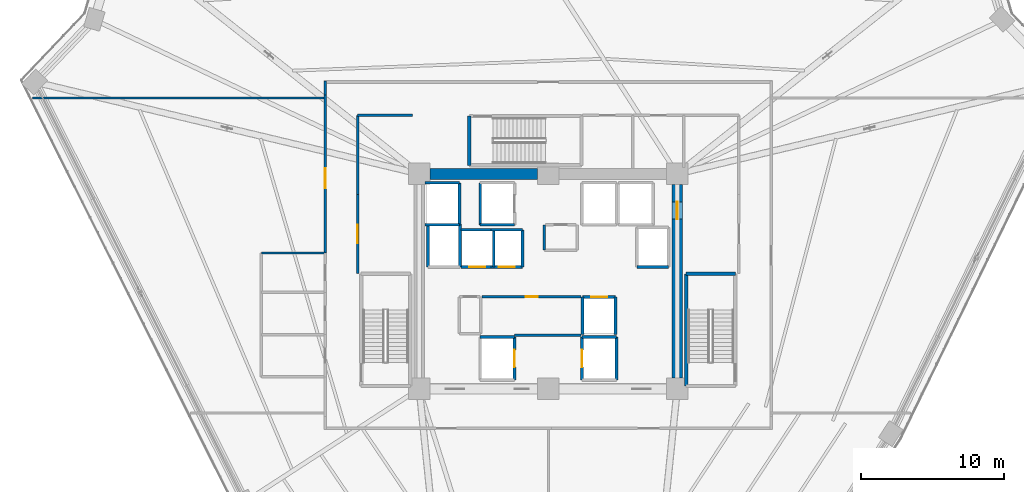
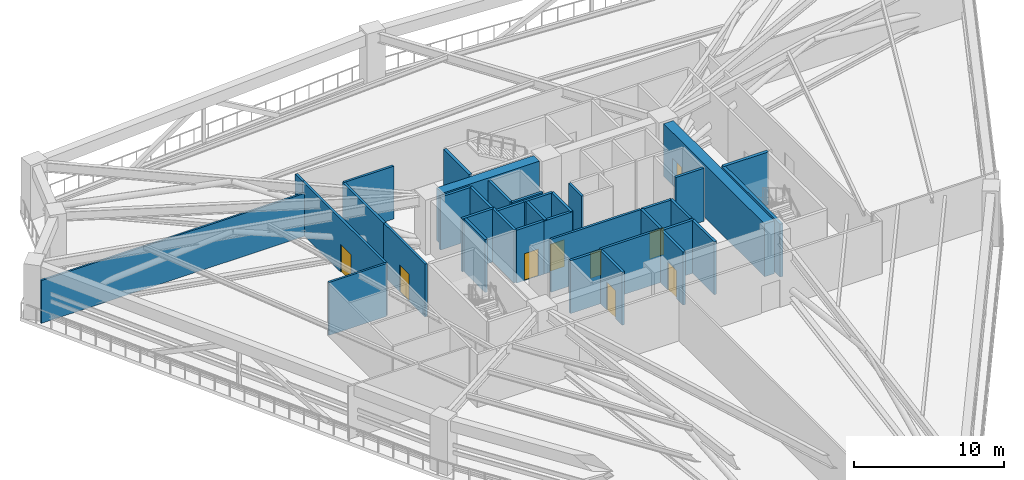
# One storey, part 16 of 23: 37 walls, 9 doors, 9 openings.
"""IFC4 building model written with IfcOpenShell, lengths in metres."""

from ifc_helpers import new_model, si_unit, direction, frame, frame_2d, origin, place, context, subcontext, project, spatial, rectangle, extrude, source, transform, mapped, material, layer, layer_set, type_object, element, fill, save


model = new_model("IFC4")

# Units and contexts
model_context = context("Model", 3, precision=1e-05, world=origin(), true_north=direction((0.0, 1.0)))
body_context = subcontext(model_context, "Body", "Model", "MODEL_VIEW")
ifc_project = project(units=[si_unit("LENGTHUNIT", "METRE"), si_unit("AREAUNIT", "SQUARE_METRE"), si_unit("VOLUMEUNIT", "CUBIC_METRE"), si_unit("PLANEANGLEUNIT", "RADIAN"), si_unit("MASSUNIT", "GRAM", prefix="KILO")], contexts=[model_context])

# Site, building, storey
site_placement = place(None, origin())
site = spatial("IfcSite", under=ifc_project, at=site_placement, CompositionType="ELEMENT")
building_placement = place(site_placement, origin())
building = spatial("IfcBuilding", under=site, at=building_placement, Name="Liaohun Quay Tower", CompositionType="ELEMENT")
storey_placement = place(building_placement, frame((0.0, 0.0, 139.5)))
storey = spatial("IfcBuildingStorey", under=building, at=storey_placement, Name="L36", CompositionType="ELEMENT", Elevation=139.5)

# Wall
ifc_material_1 = material(Name="Concrete C60", Category="concrete")
ifc_layer_1 = layer(ifc_material_1, 0.75, Name="Concrete C60", Category="concrete")
ifc_layer_set_1 = layer_set([ifc_layer_1], Name="Concrete C60")
wall_type_1 = type_object("IfcWallType", Name="WAL-COR-Z2", PredefinedType="SHEAR", material=ifc_layer_set_1)
wall_1_placement = place(storey_placement, frame((51.75, 61.5, 0.0), z_axis=(0.0, 0.0, 1.0), x_axis=(1.0, 0.0, 0.0)))
element("IfcWall", 1, at=wall_1_placement, inside=storey, type_object=wall_type_1, Name="L36 Central Core Shear Wall N-W", PredefinedType="SHEAR", context=body_context, shape_type="SweptSolid", body=[
    extrude(rectangle(XDim=7.5, YDim=0.75, at=frame_2d((3.75, 0.0))), origin(), (0.0, 0.0, 1.0), 4.320068359375),
])

# Wall, opening, door
wall_2_placement = place(storey_placement, frame((69.0, 60.75, 0.0), z_axis=(0.0, 0.0, 1.0), x_axis=(0.0, -1.0, 0.0)))
wall_2 = element("IfcWall", 2, at=wall_2_placement, inside=storey, type_object=wall_type_1, Name="L36 Central Core Shear Wall E", PredefinedType="SHEAR", context=body_context, shape_type="SweptSolid", body=[
    extrude(rectangle(XDim=13.5, YDim=0.75, at=frame_2d((6.75, 0.0))), origin(), (0.0, 0.0, 1.0), 4.320068359375),
])
shared_shape_1 = source(origin(), body_context, "Body", "SweptSolid", [
    extrude(rectangle(XDim=1.199951171875, YDim=2.199951171875, at=frame_2d((0.60009765625, 1.10009765625))), frame((0.0, 0.385009765625, 0.0), z_axis=(0.0, -1.0, 0.0), x_axis=(1.0, 0.0, 0.0)), (0.0, 0.0, 1.0), 0.77001953125),
])
opening_1_placement = place(wall_2_placement, frame((1.199951171875, 0.0, 0.0)))
opening_1 = element("IfcOpeningElement", 3, at=opening_1_placement, cuts=wall_2, Name="Opening SD1", PredefinedType="OPENING", context=body_context, shape_type="MappedRepresentation", body=[
    mapped(shared_shape_1, transform((0.0, 0.0, 0.0), x_axis=(1.0, 0.0, 0.0), y_axis=(0.0, 1.0, 0.0), z_axis=(0.0, 0.0, 1.0), scale=1.0)),
])
ifc_material_2 = material(Name="Galvanised steel fire door", Category="steel")
door_type_1 = type_object("IfcDoorType", Name="DOR-STR-1200", OperationType="NOTDEFINED", PredefinedType="DOOR", material=ifc_material_2)
shared_shape_2 = source(origin(), body_context, "Body", "SweptSolid", [
    extrude(rectangle(XDim=1.199951171875, YDim=2.199951171875, at=frame_2d((0.60009765625, 1.10009765625))), frame((0.0, 0.02490234375, 0.0), z_axis=(0.0, -1.0, 0.0), x_axis=(1.0, 0.0, 0.0)), (0.0, 0.0, 1.0), 0.050048828125),
])
door_1_placement = place(opening_1_placement, origin())
door_1 = element("IfcDoor", 4, at=door_1_placement, inside=storey, type_object=door_type_1, Name="L36 North-East Core Lobby Smokeproof Door", OperationType="SINGLE_SWING_LEFT", OverallHeight=2.199951171875, OverallWidth=1.199951171875, PredefinedType="DOOR", context=body_context, shape_type="MappedRepresentation", body=[
    mapped(shared_shape_2, transform((0.0, 0.0, 0.0), x_axis=(1.0, 0.0, 0.0), y_axis=(0.0, 1.0, 0.0), z_axis=(0.0, 0.0, 1.0), scale=1.0)),
])
fill(opening_1, door_1)

ifc_material_3 = material(Name="Autoclaved aerated concrete blockwork", Category="masonry")
ifc_layer_2 = layer(ifc_material_3, 0.179931640625, Name="Autoclaved aerated concrete blockwork", Category="masonry")
ifc_layer_set_2 = layer_set([ifc_layer_2], Name="Autoclaved aerated concrete blockwork")
wall_type_2 = type_object("IfcWallType", Name="WAL-PRT-COR", PredefinedType="PARTITIONING", material=ifc_layer_set_2)
wall_3_placement = place(storey_placement, frame((55.3701171875, 52.919921875, 0.0), z_axis=(0.0, 0.0, 1.0), x_axis=(1.0, 0.0, 0.0)))
wall_3 = element("IfcWall", 5, at=wall_3_placement, inside=storey, type_object=wall_type_2, Name="L36 Interior Partition Wall 001", PredefinedType="PARTITIONING", context=body_context, shape_type="SweptSolid", body=[
    extrude(rectangle(XDim=6.929931640625, YDim=0.179931640625, at=frame_2d((3.46484375, 0.0))), origin(), (0.0, 0.0, 1.0), 4.320068359375),
])
shared_shape_3 = source(origin(), body_context, "Body", "SweptSolid", [
    extrude(rectangle(XDim=0.85009765625, YDim=2.10009765625, at=frame_2d((0.425048828125, 1.050048828125))), frame((0.0, 0.099853515625, 0.0), z_axis=(0.0, -1.0, 0.0), x_axis=(1.0, 0.0, 0.0)), (0.0, 0.0, 1.0), 0.199951171875),
])
opening_2_placement = place(wall_3_placement, frame((3.054931640625, 0.0, 0.0)))
opening_2 = element("IfcOpeningElement", 6, at=opening_2_placement, cuts=wall_3, Name="Opening AD1", PredefinedType="OPENING", context=body_context, shape_type="MappedRepresentation", body=[
    mapped(shared_shape_3, transform((0.0, 0.0, 0.0), x_axis=(1.0, 0.0, 0.0), y_axis=(0.0, 1.0, 0.0), z_axis=(0.0, 0.0, 1.0), scale=1.0)),
])
ifc_material_4 = material(Name="Steel riser inspection fire door", Category="steel")
door_type_2 = type_object("IfcDoorType", Name="DOR-SHF-850", OperationType="NOTDEFINED", PredefinedType="DOOR", material=ifc_material_4)
shared_shape_4 = source(origin(), body_context, "Body", "SweptSolid", [
    extrude(rectangle(XDim=0.85009765625, YDim=2.10009765625, at=frame_2d((0.425048828125, 1.050048828125))), frame((0.0, 0.02490234375, 0.0), z_axis=(0.0, -1.0, 0.0), x_axis=(1.0, 0.0, 0.0)), (0.0, 0.0, 1.0), 0.050048828125),
])
door_2_placement = place(opening_2_placement, origin())
door_2 = element("IfcDoor", 7, at=door_2_placement, inside=storey, type_object=door_type_2, Name="L36 Core Tenant Storage and Archive Room Door", OperationType="SINGLE_SWING_LEFT", OverallHeight=2.10009765625, OverallWidth=0.85009765625, PredefinedType="DOOR", context=body_context, shape_type="MappedRepresentation", body=[
    mapped(shared_shape_4, transform((0.0, 0.0, 0.0), x_axis=(1.0, 0.0, 0.0), y_axis=(0.0, 1.0, 0.0), z_axis=(0.0, 0.0, 1.0), scale=1.0)),
])
fill(opening_2, door_2)

wall_4_placement = place(storey_placement, frame((46.699951171875, 54.5400390625, 0.0), z_axis=(0.0, 0.0, 1.0), x_axis=(0.0, 1.0, 0.0)))
wall_4 = element("IfcWall", 8, at=wall_4_placement, inside=storey, type_object=wall_type_2, Name="L36 Interior Partition Wall 009", PredefinedType="PARTITIONING", context=body_context, shape_type="SweptSolid", body=[
    extrude(rectangle(XDim=5.52001953125, YDim=0.179931640625, at=frame_2d((2.760009765625, 0.0))), origin(), (0.0, 0.0, 1.0), 4.320068359375),
])
shared_shape_5 = source(origin(), body_context, "Body", "SweptSolid", [
    extrude(rectangle(XDim=1.300048828125, YDim=2.199951171875, at=frame_2d((0.64990234375, 1.10009765625))), frame((0.0, 0.099853515625, 0.0), z_axis=(0.0, -1.0, 0.0), x_axis=(1.0, 0.0, 0.0)), (0.0, 0.0, 1.0), 0.199951171875),
])
opening_3_placement = place(wall_4_placement, frame((2.110107421875, 0.0, 0.0)))
opening_3 = element("IfcOpeningElement", 9, at=opening_3_placement, cuts=wall_4, Name="Opening FD1", PredefinedType="OPENING", context=body_context, shape_type="MappedRepresentation", body=[
    mapped(shared_shape_5, transform((0.0, 0.0, 0.0), x_axis=(1.0, 0.0, 0.0), y_axis=(0.0, 1.0, 0.0), z_axis=(0.0, 0.0, 1.0), scale=1.0)),
])
ifc_material_5 = material(Name="Galvanised steel smokeproof fire door", Category="steel")
door_type_3 = type_object("IfcDoorType", Name="DOR-FFL-1300", OperationType="NOTDEFINED", PredefinedType="DOOR", material=ifc_material_5)
shared_shape_6 = source(origin(), body_context, "Body", "SweptSolid", [
    extrude(rectangle(XDim=1.300048828125, YDim=2.199951171875, at=frame_2d((0.64990234375, 1.10009765625))), frame((0.0, 0.02490234375, 0.0), z_axis=(0.0, -1.0, 0.0), x_axis=(1.0, 0.0, 0.0)), (0.0, 0.0, 1.0), 0.050048828125),
])
door_3_placement = place(opening_3_placement, origin())
door_3 = element("IfcDoor", 10, at=door_3_placement, inside=storey, type_object=door_type_3, Name="L36 West Core Vestibule Door", OperationType="SINGLE_SWING_LEFT", OverallHeight=2.199951171875, OverallWidth=1.300048828125, PredefinedType="DOOR", context=body_context, shape_type="MappedRepresentation", body=[
    mapped(shared_shape_6, transform((0.0, 0.0, 0.0), x_axis=(1.0, 0.0, 0.0), y_axis=(0.0, 1.0, 0.0), z_axis=(0.0, 0.0, 1.0), scale=1.0)),
])
fill(opening_3, door_3)

wall_5_placement = place(storey_placement, frame((44.43994140625, 55.97998046875, 0.0), z_axis=(0.0, 0.0, 1.0), x_axis=(0.0, 1.0, 0.0)))
wall_5 = element("IfcWall", 11, at=wall_5_placement, inside=storey, type_object=wall_type_2, Name="L36 Interior Partition Wall 013", PredefinedType="PARTITIONING", context=body_context, shape_type="SweptSolid", body=[
    extrude(rectangle(XDim=11.034912109375, YDim=0.179931640625, at=frame_2d((5.517578125, 0.0))), origin(), (0.0, 0.0, 1.0), 4.320068359375),
])
shared_shape_7 = source(origin(), body_context, "Body", "SweptSolid", [
    extrude(rectangle(XDim=1.39990234375, YDim=2.25, at=frame_2d((0.699951171875, 1.125))), frame((0.0, 0.099853515625, 0.0), z_axis=(0.0, -1.0, 0.0), x_axis=(1.0, 0.0, 0.0)), (0.0, 0.0, 1.0), 0.199951171875),
])
opening_4_placement = place(wall_5_placement, frame((4.51806640625, 0.0, 0.0)))
opening_4 = element("IfcOpeningElement", 12, at=opening_4_placement, cuts=wall_5, Name="Opening MD1", PredefinedType="OPENING", context=body_context, shape_type="MappedRepresentation", body=[
    mapped(shared_shape_7, transform((0.0, 0.0, 0.0), x_axis=(1.0, 0.0, 0.0), y_axis=(0.0, 1.0, 0.0), z_axis=(0.0, 0.0, 1.0), scale=1.0)),
])
ifc_material_6 = material(Name="Insulated steel plant room door", Category="steel")
door_type_4 = type_object("IfcDoorType", Name="DOR-MEP-1400", OperationType="DOUBLE_DOOR_SINGLE_SWING", PredefinedType="DOOR", material=ifc_material_6)
shared_shape_8 = source(origin(), body_context, "Body", "SweptSolid", [
    extrude(rectangle(XDim=1.39990234375, YDim=2.25, at=frame_2d((0.699951171875, 1.125))), frame((0.0, 0.02490234375, 0.0), z_axis=(0.0, -1.0, 0.0), x_axis=(1.0, 0.0, 0.0)), (0.0, 0.0, 1.0), 0.050048828125),
])
door_4_placement = place(opening_4_placement, origin())
door_4 = element("IfcDoor", 13, at=door_4_placement, inside=storey, type_object=door_type_4, Name="L36 West Air Handling Unit Plant Room Door", OperationType="DOUBLE_DOOR_SINGLE_SWING", OverallHeight=2.25, OverallWidth=1.39990234375, PredefinedType="DOOR", context=body_context, shape_type="MappedRepresentation", body=[
    mapped(shared_shape_8, transform((0.0, 0.0, 0.0), x_axis=(1.0, 0.0, 0.0), y_axis=(0.0, 1.0, 0.0), z_axis=(0.0, 0.0, 1.0), scale=1.0)),
])
fill(opening_4, door_4)

# Walls
wall_6_placement = place(storey_placement, frame((59.719970703125, 56.179931640625, 0.0), z_axis=(0.0, 0.0, 1.0), x_axis=(0.0, 1.0, 0.0)))
element("IfcWall", 14, at=wall_6_placement, inside=storey, type_object=wall_type_2, Name="L36 Interior Partition Wall 016", PredefinedType="PARTITIONING", context=body_context, shape_type="SweptSolid", body=[
    extrude(rectangle(XDim=1.739990234375, YDim=0.179931640625, at=frame_2d((0.8701171875, 0.0))), origin(), (0.0, 0.0, 1.0), 4.320068359375),
])
wall_7_placement = place(storey_placement, frame((46.699951171875, 65.580078125, 0.0), z_axis=(0.0, 0.0, 1.0), x_axis=(1.0, 0.0, 0.0)))
element("IfcWall", 15, at=wall_7_placement, inside=storey, type_object=wall_type_2, Name="L36 Interior Partition Wall 029", PredefinedType="PARTITIONING", context=body_context, shape_type="SweptSolid", body=[
    extrude(rectangle(XDim=3.840087890625, YDim=0.179931640625, at=frame_2d((1.919921875, 0.0))), origin(), (0.0, 0.0, 1.0), 4.320068359375),
])
wall_8_placement = place(storey_placement, frame((46.699951171875, 60.06005859375, 0.0), z_axis=(0.0, 0.0, 1.0), x_axis=(0.0, 1.0, 0.0)))
element("IfcWall", 16, at=wall_8_placement, inside=storey, type_object=wall_type_2, Name="L36 Interior Partition Wall 031", PredefinedType="PARTITIONING", context=body_context, shape_type="SweptSolid", body=[
    extrude(rectangle(XDim=5.52001953125, YDim=0.179931640625, at=frame_2d((2.760009765625, 0.0))), origin(), (0.0, 0.0, 1.0), 4.320068359375),
])
wall_9_placement = place(storey_placement, frame((44.43994140625, 67.014892578125, 0.0), z_axis=(0.0, 0.0, 1.0), x_axis=(0.0, 1.0, 0.0)))
element("IfcWall", 17, at=wall_9_placement, inside=storey, type_object=wall_type_2, Name="L36 Interior Partition Wall 033", PredefinedType="PARTITIONING", context=body_context, shape_type="SweptSolid", body=[
    extrude(rectangle(XDim=0.965087890625, YDim=0.179931640625, at=frame_2d((0.482421875, 0.0))), origin(), (0.0, 0.0, 1.0), 4.320068359375),
])
wall_10_placement = place(storey_placement, frame((57.64990234375, 50.25, 0.0), z_axis=(0.0, 0.0, 1.0), x_axis=(1.0, 0.0, 0.0)))
element("IfcWall", 18, at=wall_10_placement, inside=storey, type_object=wall_type_2, Name="L36 Interior Partition Wall 043", PredefinedType="PARTITIONING", context=body_context, shape_type="SweptSolid", body=[
    extrude(rectangle(XDim=4.650146484375, YDim=0.179931640625, at=frame_2d((2.3251953125, 0.0))), origin(), (0.0, 0.0, 1.0), 4.320068359375),
])
ifc_material_7 = material(Name="Gypsum board on twin steel studs", Category="steel")
ifc_layer_3 = layer(ifc_material_7, 0.139892578125, Name="Gypsum board on twin steel studs", Category="steel")
ifc_layer_set_3 = layer_set([ifc_layer_3], Name="Gypsum board on twin steel studs")
wall_type_3 = type_object("IfcWallType", Name="WAL-PRT-OFF", PredefinedType="PARTITIONING", material=ifc_layer_set_3)
wall_11_placement = place(storey_placement, frame((44.5400390625, 66.800048828125, 0.0), z_axis=(0.0, 0.0, 1.0), x_axis=(-1.0, 0.0, 0.0)))
element("IfcWall", 19, at=wall_11_placement, inside=storey, type_object=wall_type_3, Name="L36 Interior Partition Wall 040", PredefinedType="PARTITIONING", context=body_context, shape_type="SweptSolid", body=[
    extrude(rectangle(XDim=20.51806640625, YDim=0.139892578125, at=frame_2d((10.259033203125, 0.0))), origin(), (0.0, 0.0, 1.0), 3.5048828125),
])
ifc_material_8 = material(Name="Moisture-resistant masonry blockwork", Category="masonry")
ifc_layer_4 = layer(ifc_material_8, 0.159912109375, Name="Moisture-resistant masonry blockwork", Category="masonry")
ifc_layer_set_4 = layer_set([ifc_layer_4], Name="Moisture-resistant masonry blockwork")
wall_type_4 = type_object("IfcWallType", Name="WAL-PRT-WET", PredefinedType="PARTITIONING", material=ifc_layer_set_4)
wall_12_placement = place(storey_placement, frame((39.97998046875, 55.97998046875, 0.0), z_axis=(0.0, 0.0, 1.0), x_axis=(1.0, 0.0, 0.0)))
element("IfcWall", 20, at=wall_12_placement, inside=storey, type_object=wall_type_4, Name="L36 Interior Partition Wall 026", PredefinedType="PARTITIONING", context=body_context, shape_type="SweptSolid", body=[
    extrude(rectangle(XDim=4.4599609375, YDim=0.159912109375, at=frame_2d((2.22998046875, 0.0))), origin(), (0.0, 0.0, 1.0), 4.320068359375),
])
ifc_material_9 = material(Name="Concrete C50", Category="concrete")
ifc_layer_5 = layer(ifc_material_9, 0.239990234375, Name="Concrete C50", Category="concrete")
ifc_layer_set_5 = layer_set([ifc_layer_5], Name="Concrete C50")
wall_type_5 = type_object("IfcWallType", Name="WAL-SHF-200", PredefinedType="SOLIDWALL", material=ifc_layer_set_5)
wall_13_placement = place(storey_placement, frame((73.06005859375, 54.52001953125, 0.0), z_axis=(0.0, 0.0, 1.0), x_axis=(-1.0, 0.0, 0.0)))
element("IfcWall", 21, at=wall_13_placement, inside=storey, type_object=wall_type_5, Name="L36 Stairwell ST-2 Structural Core Wall N", PredefinedType="SOLIDWALL", context=body_context, shape_type="SweptSolid", body=[
    extrude(rectangle(XDim=3.43994140625, YDim=0.239990234375, at=frame_2d((1.719970703125, 0.0))), origin(), (0.0, 0.0, 1.0), 4.320068359375),
])
wall_14_placement = place(storey_placement, frame((69.6201171875, 54.52001953125, 0.0), z_axis=(0.0, 0.0, 1.0), x_axis=(0.0, -1.0, 0.0)))
element("IfcWall", 22, at=wall_14_placement, inside=storey, type_object=wall_type_5, Name="L36 Stairwell ST-2 Structural Core Wall W", PredefinedType="SOLIDWALL", context=body_context, shape_type="SweptSolid", body=[
    extrude(rectangle(XDim=7.820068359375, YDim=0.239990234375, at=frame_2d((3.91015625, 0.0))), origin(), (0.0, 0.0, 1.0), 4.320068359375),
])
wall_15_placement = place(storey_placement, frame((54.5, 65.5400390625, 0.0), z_axis=(0.0, 0.0, 1.0), x_axis=(0.0, -1.0, 0.0)))
element("IfcWall", 23, at=wall_15_placement, inside=storey, type_object=wall_type_5, Name="L36 Stairwell ST-3 Structural Core Wall W", PredefinedType="SOLIDWALL", context=body_context, shape_type="SweptSolid", body=[
    extrude(rectangle(XDim=3.43994140625, YDim=0.239990234375, at=frame_2d((1.719970703125, 0.0))), origin(), (0.0, 0.0, 1.0), 4.320068359375),
])

# Wall, opening, door
wall_16_placement = place(storey_placement, frame((57.64990234375, 47.1201171875, 0.0), z_axis=(0.0, 0.0, 1.0), x_axis=(0.0, 1.0, 0.0)))
wall_16 = element("IfcWall", 24, at=wall_16_placement, inside=storey, type_object=wall_type_5, Name="L36 Lift FF-01 Hoistway Wall E", PredefinedType="SOLIDWALL", context=body_context, shape_type="SweptSolid", body=[
    extrude(rectangle(XDim=3.0, YDim=0.199951171875, at=frame_2d((1.5, 0.0))), origin(), (0.0, 0.0, 1.0), 4.320068359375),
])
shared_shape_9 = source(origin(), body_context, "Body", "SweptSolid", [
    extrude(rectangle(XDim=1.199951171875, YDim=2.300048828125, at=frame_2d((0.60009765625, 1.14990234375))), frame((0.0, 0.10986328125, 0.0), z_axis=(0.0, -1.0, 0.0), x_axis=(1.0, 0.0, 0.0)), (0.0, 0.0, 1.0), 0.219970703125),
])
opening_5_placement = place(wall_16_placement, frame((0.89990234375, 0.0, 0.0)))
opening_5 = element("IfcOpeningElement", 25, at=opening_5_placement, cuts=wall_16, Name="Opening LD2", PredefinedType="OPENING", context=body_context, shape_type="MappedRepresentation", body=[
    mapped(shared_shape_9, transform((0.0, 0.0, 0.0), x_axis=(1.0, 0.0, 0.0), y_axis=(0.0, 1.0, 0.0), z_axis=(0.0, 0.0, 1.0), scale=1.0)),
])
ifc_material_10 = material(Name="Brushed stainless steel stretcher landing door", Category="steel")
door_type_5 = type_object("IfcDoorType", Name="DOR-LFT-1200", OperationType="SLIDING_TO_LEFT", PredefinedType="DOOR", material=ifc_material_10)
shared_shape_10 = source(origin(), body_context, "Body", "SweptSolid", [
    extrude(rectangle(XDim=1.199951171875, YDim=2.300048828125, at=frame_2d((0.60009765625, 1.14990234375))), frame((0.0, 0.02490234375, 0.0), z_axis=(0.0, -1.0, 0.0), x_axis=(1.0, 0.0, 0.0)), (0.0, 0.0, 1.0), 0.050048828125),
])
door_5_placement = place(opening_5_placement, origin())
door_5 = element("IfcDoor", 26, at=door_5_placement, inside=storey, type_object=door_type_5, Name="L36 Lift FF-01 Sliding Landing Door", OperationType="SLIDING_TO_LEFT", OverallHeight=2.300048828125, OverallWidth=1.199951171875, PredefinedType="DOOR", context=body_context, shape_type="MappedRepresentation", body=[
    mapped(shared_shape_10, transform((0.0, 0.0, 0.0), x_axis=(1.0, 0.0, 0.0), y_axis=(0.0, 1.0, 0.0), z_axis=(0.0, 0.0, 1.0), scale=1.0)),
])
fill(opening_5, door_5)

# Walls
wall_17_placement = place(storey_placement, frame((57.64990234375, 50.1201171875, 0.0), z_axis=(0.0, 0.0, 1.0), x_axis=(-1.0, 0.0, 0.0)))
element("IfcWall", 27, at=wall_17_placement, inside=storey, type_object=wall_type_5, Name="L36 Lift FF-01 Hoistway Wall N", PredefinedType="SOLIDWALL", context=body_context, shape_type="SweptSolid", body=[
    extrude(rectangle(XDim=2.39990234375, YDim=0.199951171875, at=frame_2d((1.199951171875, 0.0))), origin(), (0.0, 0.0, 1.0), 4.320068359375),
])
wall_18_placement = place(storey_placement, frame((64.75, 47.1201171875, 0.0), z_axis=(0.0, 0.0, 1.0), x_axis=(0.0, 1.0, 0.0)))
element("IfcWall", 28, at=wall_18_placement, inside=storey, type_object=wall_type_5, Name="L36 Lift FF-02 Hoistway Wall E", PredefinedType="SOLIDWALL", context=body_context, shape_type="SweptSolid", body=[
    extrude(rectangle(XDim=3.0, YDim=0.199951171875, at=frame_2d((1.5, 0.0))), origin(), (0.0, 0.0, 1.0), 4.320068359375),
])
wall_19_placement = place(storey_placement, frame((64.75, 50.1201171875, 0.0), z_axis=(0.0, 0.0, 1.0), x_axis=(-1.0, 0.0, 0.0)))
element("IfcWall", 29, at=wall_19_placement, inside=storey, type_object=wall_type_5, Name="L36 Lift FF-02 Hoistway Wall N", PredefinedType="SOLIDWALL", context=body_context, shape_type="SweptSolid", body=[
    extrude(rectangle(XDim=2.39990234375, YDim=0.199951171875, at=frame_2d((1.199951171875, 0.0))), origin(), (0.0, 0.0, 1.0), 4.320068359375),
])

# Wall, opening, door
wall_20_placement = place(storey_placement, frame((62.35009765625, 50.1201171875, 0.0), z_axis=(0.0, 0.0, 1.0), x_axis=(0.0, -1.0, 0.0)))
wall_20 = element("IfcWall", 30, at=wall_20_placement, inside=storey, type_object=wall_type_5, Name="L36 Lift FF-02 Hoistway Wall W", PredefinedType="SOLIDWALL", context=body_context, shape_type="SweptSolid", body=[
    extrude(rectangle(XDim=3.0, YDim=0.199951171875, at=frame_2d((1.5, 0.0))), origin(), (0.0, 0.0, 1.0), 4.320068359375),
])
opening_6_placement = place(wall_20_placement, frame((0.89990234375, 0.0, 0.0)))
opening_6 = element("IfcOpeningElement", 31, at=opening_6_placement, cuts=wall_20, Name="Opening LD2", PredefinedType="OPENING", context=body_context, shape_type="MappedRepresentation", body=[
    mapped(shared_shape_9, transform((0.0, 0.0, 0.0), x_axis=(1.0, 0.0, 0.0), y_axis=(0.0, 1.0, 0.0), z_axis=(0.0, 0.0, 1.0), scale=1.0)),
])
door_6_placement = place(opening_6_placement, origin())
door_6 = element("IfcDoor", 32, at=door_6_placement, inside=storey, type_object=door_type_5, Name="L36 Lift FF-02 Sliding Landing Door", OperationType="SLIDING_TO_LEFT", OverallHeight=2.300048828125, OverallWidth=1.199951171875, PredefinedType="DOOR", context=body_context, shape_type="MappedRepresentation", body=[
    mapped(shared_shape_10, transform((0.0, 0.0, 0.0), x_axis=(1.0, 0.0, 0.0), y_axis=(0.0, 1.0, 0.0), z_axis=(0.0, 0.0, 1.0), scale=1.0)),
])
fill(opening_6, door_6)

# Walls
wall_21_placement = place(storey_placement, frame((55.25, 57.949951171875, 0.0), z_axis=(0.0, 0.0, 1.0), x_axis=(1.0, 0.0, 0.0)))
element("IfcWall", 33, at=wall_21_placement, inside=storey, type_object=wall_type_5, Name="L36 Lift FF-03 Hoistway Wall S", PredefinedType="SOLIDWALL", context=body_context, shape_type="SweptSolid", body=[
    extrude(rectangle(XDim=2.39990234375, YDim=0.199951171875, at=frame_2d((1.199951171875, 0.0))), origin(), (0.0, 0.0, 1.0), 4.320068359375),
])
wall_22_placement = place(storey_placement, frame((55.25, 60.8798828125, 0.0), z_axis=(0.0, 0.0, 1.0), x_axis=(0.0, -1.0, 0.0)))
element("IfcWall", 34, at=wall_22_placement, inside=storey, type_object=wall_type_5, Name="L36 Lift FF-03 Hoistway Wall W", PredefinedType="SOLIDWALL", context=body_context, shape_type="SweptSolid", body=[
    extrude(rectangle(XDim=2.929931640625, YDim=0.199951171875, at=frame_2d((1.46484375, 0.0))), origin(), (0.0, 0.0, 1.0), 4.320068359375),
])
wall_23_placement = place(storey_placement, frame((51.39990234375, 57.949951171875, 0.0), z_axis=(0.0, 0.0, 1.0), x_axis=(1.0, 0.0, 0.0)))
element("IfcWall", 35, at=wall_23_placement, inside=storey, type_object=wall_type_5, Name="L36 Lift SH-01 Hoistway Wall S", PredefinedType="SOLIDWALL", context=body_context, shape_type="SweptSolid", body=[
    extrude(rectangle(XDim=2.400146484375, YDim=0.199951171875, at=frame_2d((1.2001953125, 0.0))), origin(), (0.0, 0.0, 1.0), 4.320068359375),
])
wall_24_placement = place(storey_placement, frame((53.800048828125, 57.949951171875, 0.0), z_axis=(0.0, 0.0, 1.0), x_axis=(0.0, 1.0, 0.0)))
element("IfcWall", 36, at=wall_24_placement, inside=storey, type_object=wall_type_5, Name="L36 Lift SH-01 Hoistway Wall E", PredefinedType="SOLIDWALL", context=body_context, shape_type="SweptSolid", body=[
    extrude(rectangle(XDim=2.929931640625, YDim=0.199951171875, at=frame_2d((1.46484375, 0.0))), origin(), (0.0, 0.0, 1.0), 4.320068359375),
])
wall_25_placement = place(storey_placement, frame((53.800048828125, 60.8798828125, 0.0), z_axis=(0.0, 0.0, 1.0), x_axis=(-1.0, 0.0, 0.0)))
element("IfcWall", 37, at=wall_25_placement, inside=storey, type_object=wall_type_5, Name="L36 Lift SH-01 Hoistway Wall N", PredefinedType="SOLIDWALL", context=body_context, shape_type="SweptSolid", body=[
    extrude(rectangle(XDim=2.400146484375, YDim=0.199951171875, at=frame_2d((1.2001953125, 0.0))), origin(), (0.0, 0.0, 1.0), 4.320068359375),
])
for number, where, z_axis, x_axis, name in (
    (38, (53.85009765625, 55.0, 0.0), (0.0, 0.0, 1.0), (0.0, 1.0, 0.0), "L36 Lift SH-02 Hoistway Wall E"),
    (39, (51.6201171875, 58.0, 0.0), (0.0, 0.0, 1.0), (0.0, -1.0, 0.0), "L36 Lift SH-02 Hoistway Wall W"),
):
    element("IfcWall", number, at=place(storey_placement, frame(where, z_axis=z_axis, x_axis=x_axis)), inside=storey, type_object=wall_type_5, Name=name, PredefinedType="SOLIDWALL", context=body_context, shape_type="SweptSolid", body=[
        extrude(rectangle(XDim=3.0, YDim=0.199951171875, at=frame_2d((1.5, 0.0))), origin(), (0.0, 0.0, 1.0), 4.320068359375),
    ])
wall_26_placement = place(storey_placement, frame((66.199951171875, 55.0, 0.0), z_axis=(0.0, 0.0, 1.0), x_axis=(1.0, 0.0, 0.0)))
element("IfcWall", 40, at=wall_26_placement, inside=storey, type_object=wall_type_5, Name="L36 Lift SH-03 Hoistway Wall S", PredefinedType="SOLIDWALL", context=body_context, shape_type="SweptSolid", body=[
    extrude(rectangle(XDim=2.179931640625, YDim=0.199951171875, at=frame_2d((1.08984375, 0.0))), origin(), (0.0, 0.0, 1.0), 4.320068359375),
])
wall_27_placement = place(storey_placement, frame((64.699951171875, 50.300048828125, 0.0), z_axis=(0.0, 0.0, 1.0), x_axis=(0.0, 1.0, 0.0)))
element("IfcWall", 41, at=wall_27_placement, inside=storey, type_object=wall_type_5, Name="L36 Lift PL-2A Hoistway Wall E", PredefinedType="SOLIDWALL", context=body_context, shape_type="SweptSolid", body=[
    extrude(rectangle(XDim=2.599853515625, YDim=0.199951171875, at=frame_2d((1.2998046875, 0.0))), origin(), (0.0, 0.0, 1.0), 4.320068359375),
])

# Wall, opening, door
wall_28_placement = place(storey_placement, frame((64.699951171875, 52.89990234375, 0.0), z_axis=(0.0, 0.0, 1.0), x_axis=(-1.0, 0.0, 0.0)))
wall_28 = element("IfcWall", 42, at=wall_28_placement, inside=storey, type_object=wall_type_5, Name="L36 Lift PL-2A Hoistway Wall N", PredefinedType="SOLIDWALL", context=body_context, shape_type="SweptSolid", body=[
    extrude(rectangle(XDim=2.300048828125, YDim=0.199951171875, at=frame_2d((1.14990234375, 0.0))), origin(), (0.0, 0.0, 1.0), 4.320068359375),
])
shared_shape_11 = source(origin(), body_context, "Body", "SweptSolid", [
    extrude(rectangle(XDim=1.10009765625, YDim=2.199951171875, at=frame_2d((0.550048828125, 1.10009765625))), frame((0.0, 0.10986328125, 0.0), z_axis=(0.0, -1.0, 0.0), x_axis=(1.0, 0.0, 0.0)), (0.0, 0.0, 1.0), 0.219970703125),
])
opening_7_placement = place(wall_28_placement, frame((0.60009765625, 0.0, 0.0)))
opening_7 = element("IfcOpeningElement", 43, at=opening_7_placement, cuts=wall_28, Name="Opening LD1", PredefinedType="OPENING", context=body_context, shape_type="MappedRepresentation", body=[
    mapped(shared_shape_11, transform((0.0, 0.0, 0.0), x_axis=(1.0, 0.0, 0.0), y_axis=(0.0, 1.0, 0.0), z_axis=(0.0, 0.0, 1.0), scale=1.0)),
])
ifc_material_11 = material(Name="Brushed stainless steel landing door", Category="steel")
door_type_6 = type_object("IfcDoorType", Name="DOR-LFT-1100", OperationType="SLIDING_TO_LEFT", PredefinedType="DOOR", material=ifc_material_11)
shared_shape_12 = source(origin(), body_context, "Body", "SweptSolid", [
    extrude(rectangle(XDim=1.10009765625, YDim=2.199951171875, at=frame_2d((0.550048828125, 1.10009765625))), frame((0.0, 0.02490234375, 0.0), z_axis=(0.0, -1.0, 0.0), x_axis=(1.0, 0.0, 0.0)), (0.0, 0.0, 1.0), 0.050048828125),
])
door_7_placement = place(opening_7_placement, origin())
door_7 = element("IfcDoor", 44, at=door_7_placement, inside=storey, type_object=door_type_6, Name="L36 Lift PL-2A Sliding Landing Door", OperationType="SLIDING_TO_LEFT", OverallHeight=2.199951171875, OverallWidth=1.10009765625, PredefinedType="DOOR", context=body_context, shape_type="MappedRepresentation", body=[
    mapped(shared_shape_12, transform((0.0, 0.0, 0.0), x_axis=(1.0, 0.0, 0.0), y_axis=(0.0, 1.0, 0.0), z_axis=(0.0, 0.0, 1.0), scale=1.0)),
])
fill(opening_7, door_7)

# Wall
wall_29_placement = place(storey_placement, frame((62.39990234375, 52.89990234375, 0.0), z_axis=(0.0, 0.0, 1.0), x_axis=(0.0, -1.0, 0.0)))
element("IfcWall", 45, at=wall_29_placement, inside=storey, type_object=wall_type_5, Name="L36 Lift PL-2A Hoistway Wall W", PredefinedType="SOLIDWALL", context=body_context, shape_type="SweptSolid", body=[
    extrude(rectangle(XDim=2.599853515625, YDim=0.199951171875, at=frame_2d((1.2998046875, 0.0))), origin(), (0.0, 0.0, 1.0), 4.320068359375),
])

# Wall, opening, door
wall_30_placement = place(storey_placement, frame((53.89990234375, 55.0, 0.0), z_axis=(0.0, 0.0, 1.0), x_axis=(1.0, 0.0, 0.0)))
wall_30 = element("IfcWall", 46, at=wall_30_placement, inside=storey, type_object=wall_type_5, Name="L36 Lift PL-2B Hoistway Wall S", PredefinedType="SOLIDWALL", context=body_context, shape_type="SweptSolid", body=[
    extrude(rectangle(XDim=2.300048828125, YDim=0.199951171875, at=frame_2d((1.14990234375, 0.0))), origin(), (0.0, 0.0, 1.0), 4.320068359375),
])
opening_8_placement = place(wall_30_placement, frame((0.60009765625, 0.0, 0.0)))
opening_8 = element("IfcOpeningElement", 47, at=opening_8_placement, cuts=wall_30, Name="Opening LD1", PredefinedType="OPENING", context=body_context, shape_type="MappedRepresentation", body=[
    mapped(shared_shape_11, transform((0.0, 0.0, 0.0), x_axis=(1.0, 0.0, 0.0), y_axis=(0.0, 1.0, 0.0), z_axis=(0.0, 0.0, 1.0), scale=1.0)),
])
door_8_placement = place(opening_8_placement, origin())
door_8 = element("IfcDoor", 48, at=door_8_placement, inside=storey, type_object=door_type_6, Name="L36 Lift PL-2B Sliding Landing Door", OperationType="SLIDING_TO_LEFT", OverallHeight=2.199951171875, OverallWidth=1.10009765625, PredefinedType="DOOR", context=body_context, shape_type="MappedRepresentation", body=[
    mapped(shared_shape_12, transform((0.0, 0.0, 0.0), x_axis=(1.0, 0.0, 0.0), y_axis=(0.0, 1.0, 0.0), z_axis=(0.0, 0.0, 1.0), scale=1.0)),
])
fill(opening_8, door_8)

# Walls
wall_31_placement = place(storey_placement, frame((56.199951171875, 55.0, 0.0), z_axis=(0.0, 0.0, 1.0), x_axis=(0.0, 1.0, 0.0)))
element("IfcWall", 49, at=wall_31_placement, inside=storey, type_object=wall_type_5, Name="L36 Lift PL-2B Hoistway Wall E", PredefinedType="SOLIDWALL", context=body_context, shape_type="SweptSolid", body=[
    extrude(rectangle(XDim=2.60009765625, YDim=0.199951171875, at=frame_2d((1.300048828125, 0.0))), origin(), (0.0, 0.0, 1.0), 4.320068359375),
])
wall_32_placement = place(storey_placement, frame((56.199951171875, 57.60009765625, 0.0), z_axis=(0.0, 0.0, 1.0), x_axis=(-1.0, 0.0, 0.0)))
element("IfcWall", 50, at=wall_32_placement, inside=storey, type_object=wall_type_5, Name="L36 Lift PL-2B Hoistway Wall N", PredefinedType="SOLIDWALL", context=body_context, shape_type="SweptSolid", body=[
    extrude(rectangle(XDim=2.300048828125, YDim=0.199951171875, at=frame_2d((1.14990234375, 0.0))), origin(), (0.0, 0.0, 1.0), 4.320068359375),
])

# Wall, opening, door
wall_33_placement = place(storey_placement, frame((56.0, 55.0, 0.0), z_axis=(0.0, 0.0, 1.0), x_axis=(1.0, 0.0, 0.0)))
wall_33 = element("IfcWall", 51, at=wall_33_placement, inside=storey, type_object=wall_type_5, Name="L36 Lift PL-2C Hoistway Wall S", PredefinedType="SOLIDWALL", context=body_context, shape_type="SweptSolid", body=[
    extrude(rectangle(XDim=2.199951171875, YDim=0.199951171875, at=frame_2d((1.10009765625, 0.0))), origin(), (0.0, 0.0, 1.0), 4.320068359375),
])
opening_9_placement = place(wall_33_placement, frame((0.550048828125, 0.0, 0.0)))
opening_9 = element("IfcOpeningElement", 52, at=opening_9_placement, cuts=wall_33, Name="Opening LD1", PredefinedType="OPENING", context=body_context, shape_type="MappedRepresentation", body=[
    mapped(shared_shape_11, transform((0.0, 0.0, 0.0), x_axis=(1.0, 0.0, 0.0), y_axis=(0.0, 1.0, 0.0), z_axis=(0.0, 0.0, 1.0), scale=1.0)),
])
door_9_placement = place(opening_9_placement, origin())
door_9 = element("IfcDoor", 53, at=door_9_placement, inside=storey, type_object=door_type_6, Name="L36 Lift PL-2C Sliding Landing Door", OperationType="SLIDING_TO_LEFT", OverallHeight=2.199951171875, OverallWidth=1.10009765625, PredefinedType="DOOR", context=body_context, shape_type="MappedRepresentation", body=[
    mapped(shared_shape_12, transform((0.0, 0.0, 0.0), x_axis=(1.0, 0.0, 0.0), y_axis=(0.0, 1.0, 0.0), z_axis=(0.0, 0.0, 1.0), scale=1.0)),
])
fill(opening_9, door_9)

# Walls
wall_34_placement = place(storey_placement, frame((58.199951171875, 55.0, 0.0), z_axis=(0.0, 0.0, 1.0), x_axis=(0.0, 1.0, 0.0)))
element("IfcWall", 54, at=wall_34_placement, inside=storey, type_object=wall_type_5, Name="L36 Lift PL-2C Hoistway Wall E", PredefinedType="SOLIDWALL", context=body_context, shape_type="SweptSolid", body=[
    extrude(rectangle(XDim=2.60009765625, YDim=0.199951171875, at=frame_2d((1.300048828125, 0.0))), origin(), (0.0, 0.0, 1.0), 4.320068359375),
])
wall_35_placement = place(storey_placement, frame((58.199951171875, 57.60009765625, 0.0), z_axis=(0.0, 0.0, 1.0), x_axis=(-1.0, 0.0, 0.0)))
element("IfcWall", 55, at=wall_35_placement, inside=storey, type_object=wall_type_5, Name="L36 Lift PL-2C Hoistway Wall N", PredefinedType="SOLIDWALL", context=body_context, shape_type="SweptSolid", body=[
    extrude(rectangle(XDim=2.199951171875, YDim=0.199951171875, at=frame_2d((1.10009765625, 0.0))), origin(), (0.0, 0.0, 1.0), 4.320068359375),
])

save(model, "model.ifc")
